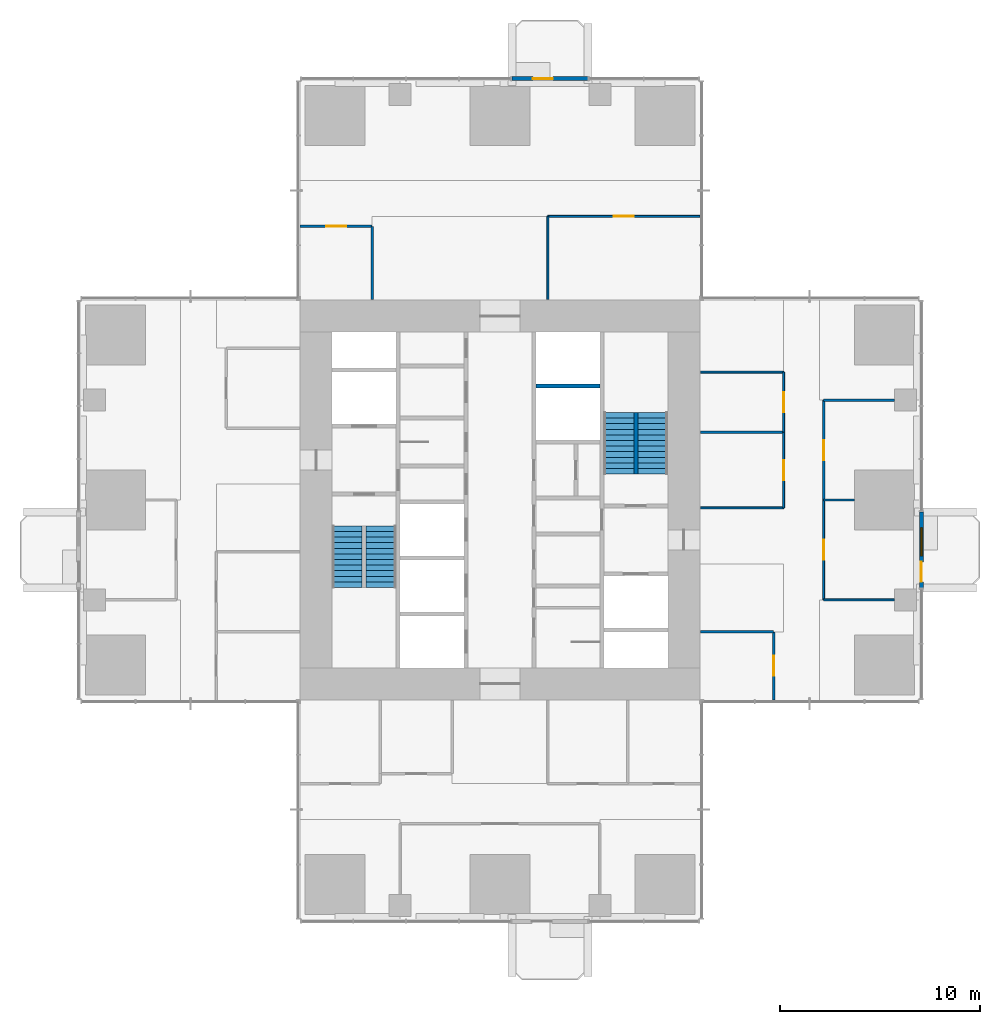
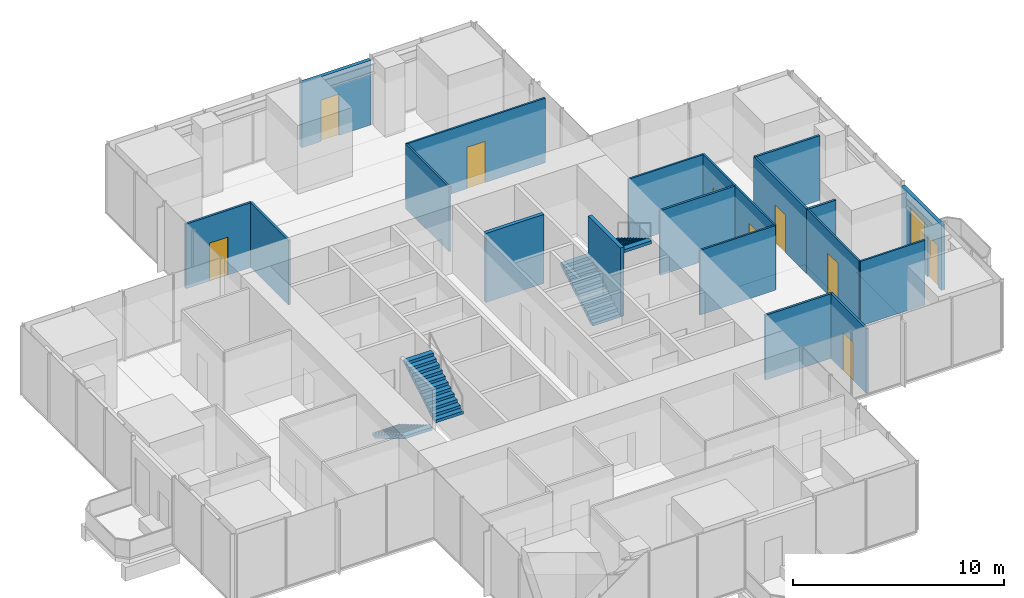
# One storey, part 10 of 13: 20 walls, 9 doors, 4 stair flights, 1 window, 10 openings, 2 elements without a shape of their own.
"""IFC4 building model written with IfcOpenShell, lengths in metres."""

from ifc_helpers import new_model, si_unit, direction, frame, frame_2d, origin, place, context, subcontext, project, spatial, polyline, rectangle, outline, extrude, material, layer, layer_set, type_object, element, fill, aggregate, save


model = new_model("IFC4")

# Units and contexts
model_context = context("Model", 3, precision=1e-05, world=origin(), true_north=direction((0.0, 1.0)))
body_context = subcontext(model_context, "Body", "Model", "MODEL_VIEW")
ifc_project = project(units=[si_unit("LENGTHUNIT", "METRE"), si_unit("AREAUNIT", "SQUARE_METRE"), si_unit("VOLUMEUNIT", "CUBIC_METRE"), si_unit("PLANEANGLEUNIT", "RADIAN"), si_unit("MASSUNIT", "GRAM", prefix="KILO")], contexts=[model_context])

# Site, building, storey
site_placement = place(None, origin())
site = spatial("IfcSite", under=ifc_project, at=site_placement, CompositionType="ELEMENT")
building_placement = place(site_placement, origin())
building = spatial("IfcBuilding", under=site, at=building_placement, Name="Svetlomir Tower", CompositionType="ELEMENT")
storey_placement = place(building_placement, frame((0.0, 0.0, 144.5)))
storey = spatial("IfcBuildingStorey", under=building, at=storey_placement, Name="L34", CompositionType="ELEMENT", Elevation=144.5)

# Wall, openings, door, window
ifc_material_1 = material(Name="Bronze anodised aluminium glazed screen", Category="aluminium")
ifc_layer_1 = layer(ifc_material_1, 0.199951171875)
ifc_layer_set_1 = layer_set([ifc_layer_1], Name="Bronze anodised aluminium glazed screen")
wall_type_1 = type_object("IfcWallType", Name="BALCONY SCREEN WALL 200", PredefinedType="USERDEFINED", material=ifc_layer_set_1)
wall_1_placement = place(storey_placement, frame((42.10009765625, 16.60009765625, 0.0), z_axis=(0.0, 0.0, 1.0), x_axis=(0.0, 1.0, 0.0)))
wall_1 = element("IfcWall", 1, at=wall_1_placement, inside=storey, type_object=wall_type_1, Name="Balcony screen E", ObjectType="GLAZED SCREEN", PredefinedType="USERDEFINED", context=body_context, shape_type="SweptSolid", body=[
    extrude(rectangle(XDim=3.7998046875, YDim=0.199951171875, at=frame_2d((1.89990234375, 0.0))), origin(), (0.0, 0.0, 1.0), 3.75),
])
opening_1_placement = place(wall_1_placement, frame((0.300048828125, 0.0, 0.0)))
opening_1 = element("IfcOpeningElement", 2, at=opening_1_placement, cuts=wall_1, Name="Opening BD", PredefinedType="OPENING", context=body_context, shape_type="SweptSolid", body=[
    extrude(rectangle(XDim=1.0, YDim=2.39990234375, at=frame_2d((0.5, 1.199951171875))), frame((0.0, 0.10986328125, 0.0), z_axis=(0.0, -1.0, 0.0), x_axis=(1.0, 0.0, 0.0)), (0.0, 0.0, 1.0), 0.219970703125),
])
opening_2_placement = place(wall_1_placement, frame((1.60009765625, 0.0, 0.300048828125)))
opening_2 = element("IfcOpeningElement", 3, at=opening_2_placement, cuts=wall_1, Name="Opening WS2", PredefinedType="OPENING", context=body_context, shape_type="SweptSolid", body=[
    extrude(rectangle(XDim=1.39990234375, YDim=2.699951171875, at=frame_2d((0.699951171875, 1.35009765625))), frame((0.0, 0.10986328125, 0.0), z_axis=(0.0, -1.0, 0.0), x_axis=(1.0, 0.0, 0.0)), (0.0, 0.0, 1.0), 0.219970703125),
])
ifc_material_2 = material(Name="Bronze anodised aluminium glazed door", Category="aluminium")
door_type_1 = type_object("IfcDoorType", Name="BALCONY DOOR BD 1000x2400", OperationType="SINGLE_SWING_LEFT", PredefinedType="DOOR", material=ifc_material_2)
door_1_placement = place(opening_1_placement, origin())
door_1 = element("IfcDoor", 4, at=door_1_placement, inside=storey, type_object=door_type_1, Name="Balcony screen E door", OperationType="SINGLE_SWING_LEFT", OverallHeight=2.39990234375, OverallWidth=1.0, PredefinedType="DOOR", context=body_context, shape_type="SweptSolid", body=[
    extrude(rectangle(XDim=1.0, YDim=2.39990234375, at=frame_2d((0.5, 1.199951171875))), frame((0.0, 0.02490234375, 0.0), z_axis=(0.0, -1.0, 0.0), x_axis=(1.0, 0.0, 0.0)), (0.0, 0.0, 1.0), 0.050048828125),
])
fill(opening_1, door_1)
ifc_material_3 = material(Name="Bronze anodised aluminium window", Category="aluminium")
window_type = type_object("IfcWindowType", Name="SCREEN WINDOW WS2 1400x2700", PartitioningType="SINGLE_PANEL", PredefinedType="WINDOW", material=ifc_material_3)
window_placement = place(opening_2_placement, origin())
window = element("IfcWindow", 5, at=window_placement, inside=storey, type_object=window_type, Name="Balcony screen E window 1", OverallHeight=2.699951171875, OverallWidth=1.39990234375, PartitioningType="SINGLE_PANEL", PredefinedType="WINDOW", context=body_context, shape_type="SweptSolid", body=[
    extrude(rectangle(XDim=1.39990234375, YDim=2.699951171875, at=frame_2d((0.699951171875, 1.35009765625))), frame((0.0, 0.030029296875, 0.0), z_axis=(0.0, -1.0, 0.0), x_axis=(1.0, 0.0, 0.0)), (0.0, 0.0, 1.0), 0.06005859375),
])
fill(opening_2, window)

# Wall, opening, door
wall_2_placement = place(storey_placement, frame((25.39990234375, 42.10009765625, 0.0), z_axis=(0.0, 0.0, 1.0), x_axis=(-1.0, 0.0, 0.0)))
wall_2 = element("IfcWall", 6, at=wall_2_placement, inside=storey, type_object=wall_type_1, Name="Balcony screen N", ObjectType="GLAZED SCREEN", PredefinedType="USERDEFINED", context=body_context, shape_type="SweptSolid", body=[
    extrude(rectangle(XDim=3.7998046875, YDim=0.199951171875, at=frame_2d((1.89990234375, 0.0))), origin(), (0.0, 0.0, 1.0), 3.75),
])
opening_3_placement = place(wall_2_placement, frame((1.75, 0.0, 0.0)))
opening_3 = element("IfcOpeningElement", 7, at=opening_3_placement, cuts=wall_2, Name="Opening BD", PredefinedType="OPENING", context=body_context, shape_type="SweptSolid", body=[
    extrude(rectangle(XDim=1.0, YDim=2.39990234375, at=frame_2d((0.5, 1.199951171875))), frame((0.0, 0.10986328125, 0.0), z_axis=(0.0, -1.0, 0.0), x_axis=(1.0, 0.0, 0.0)), (0.0, 0.0, 1.0), 0.219970703125),
])
door_2_placement = place(opening_3_placement, origin())
door_2 = element("IfcDoor", 8, at=door_2_placement, inside=storey, type_object=door_type_1, Name="Balcony screen N door", OperationType="SINGLE_SWING_LEFT", OverallHeight=2.39990234375, OverallWidth=1.0, PredefinedType="DOOR", context=body_context, shape_type="SweptSolid", body=[
    extrude(rectangle(XDim=1.0, YDim=2.39990234375, at=frame_2d((0.5, 1.199951171875))), frame((0.0, 0.02490234375, 0.0), z_axis=(0.0, -1.0, 0.0), x_axis=(1.0, 0.0, 0.0)), (0.0, 0.0, 1.0), 0.050048828125),
])
fill(opening_3, door_2)

# Walls
ifc_material_4 = material(Name="Concrete C60/75", Category="concrete")
ifc_layer_2 = layer(ifc_material_4, 0.199951171875)
ifc_layer_set_2 = layer_set([ifc_layer_2], Name="Concrete C60/75")
wall_type_2 = type_object("IfcWallType", Name="CORE INNER WALL 200", PredefinedType="SHEAR", material=ifc_layer_set_2)
wall_3_placement = place(storey_placement, frame((22.800048828125, 26.699951171875, -0.050048828125), z_axis=(0.0, 0.0, 1.0), x_axis=(1.0, 0.0, 0.0)))
element("IfcWall", 9, at=wall_3_placement, inside=storey, type_object=wall_type_2, Name="Core inner wall 22.8-26/26.7 L34", PredefinedType="SHEAR", context=body_context, shape_type="SweptSolid", body=[
    extrude(rectangle(XDim=3.199951171875, YDim=0.199951171875, at=frame_2d((1.60009765625, 0.0))), origin(), (0.0, 0.0, 1.0), 4.0),
])
ifc_material_5 = material(Name="Framed laminated glass partition", Category="glass")
ifc_layer_3 = layer(ifc_material_5, 0.10009765625)
ifc_layer_set_3 = layer_set([ifc_layer_3], Name="Framed laminated glass partition")
wall_type_3 = type_object("IfcWallType", Name="GLAZED PARTITION 100", PredefinedType="PARTITIONING", material=ifc_layer_set_3)
wall_4_placement = place(storey_placement, frame((23.39990234375, 31.050048828125, 0.0), z_axis=(0.0, 0.0, 1.0), x_axis=(0.0, 1.0, 0.0)))
element("IfcWall", 10, at=wall_4_placement, inside=storey, type_object=wall_type_3, Name="Glazed partition L34", PredefinedType="PARTITIONING", context=body_context, shape_type="SweptSolid", body=[
    extrude(rectangle(XDim=4.14990234375, YDim=0.10009765625, at=frame_2d((2.074951171875, 0.0))), origin(), (0.0, 0.0, 1.0), 3.75),
])

# Wall, opening, door
wall_5_placement = place(storey_placement, frame((23.39990234375, 35.199951171875, 0.0), z_axis=(0.0, 0.0, 1.0), x_axis=(1.0, 0.0, 0.0)))
wall_5 = element("IfcWall", 11, at=wall_5_placement, inside=storey, type_object=wall_type_3, Name="Glazed partition L34", PredefinedType="PARTITIONING", context=body_context, shape_type="SweptSolid", body=[
    extrude(rectangle(XDim=7.60009765625, YDim=0.10009765625, at=frame_2d((3.800048828125, 0.0))), origin(), (0.0, 0.0, 1.0), 3.75),
])
opening_4_placement = place(wall_5_placement, frame((3.300048828125, 0.0, 0.0)))
opening_4 = element("IfcOpeningElement", 12, at=opening_4_placement, cuts=wall_5, Name="Opening DG", PredefinedType="OPENING", context=body_context, shape_type="SweptSolid", body=[
    extrude(rectangle(XDim=1.0, YDim=2.39990234375, at=frame_2d((0.5, 1.199951171875))), frame((0.0, 0.06005859375, 0.0), z_axis=(0.0, -1.0, 0.0), x_axis=(1.0, 0.0, 0.0)), (0.0, 0.0, 1.0), 0.1201171875),
])
ifc_material_6 = material(Name="Framed laminated glass door", Category="glass")
door_type_2 = type_object("IfcDoorType", Name="GLAZED DOOR DG 1000x2400", OperationType="SINGLE_SWING_LEFT", PredefinedType="DOOR", material=ifc_material_6)
door_3_placement = place(opening_4_placement, origin())
door_3 = element("IfcDoor", 13, at=door_3_placement, inside=storey, type_object=door_type_2, Name="Risk committee room, 12 seats door L34", OperationType="SINGLE_SWING_RIGHT", OverallHeight=2.39990234375, OverallWidth=1.0, PredefinedType="DOOR", context=body_context, shape_type="SweptSolid", body=[
    extrude(rectangle(XDim=1.0, YDim=2.39990234375, at=frame_2d((0.5, 1.199951171875))), frame((0.0, 0.02490234375, 0.0), z_axis=(0.0, -1.0, 0.0), x_axis=(1.0, 0.0, 0.0)), (0.0, 0.0, 1.0), 0.050048828125),
])
fill(opening_4, door_3)

# Walls
for number, where, z_axis, x_axis, name in (
    (14, (31.050048828125, 20.60009765625, 0.0), (0.0, 0.0, 1.0), (1.0, 0.0, 0.0), "Glazed partition L34"),
    (15, (31.050048828125, 27.39990234375, 0.0), (0.0, 0.0, 1.0), (1.0, 0.0, 0.0), "Glazed partition L34"),
):
    element("IfcWall", number, at=place(storey_placement, frame(where, z_axis=z_axis, x_axis=x_axis)), inside=storey, type_object=wall_type_3, Name=name, PredefinedType="PARTITIONING", context=body_context, shape_type="SweptSolid", body=[
        extrude(rectangle(XDim=4.14990234375, YDim=0.10009765625, at=frame_2d((2.074951171875, 0.0))), origin(), (0.0, 0.0, 1.0), 3.75),
    ])

# Wall, opening, door
wall_6_placement = place(storey_placement, frame((35.199951171875, 20.60009765625, 0.0), z_axis=(0.0, 0.0, 1.0), x_axis=(0.0, 1.0, 0.0)))
wall_6 = element("IfcWall", 16, at=wall_6_placement, inside=storey, type_object=wall_type_3, Name="Glazed partition L34", PredefinedType="PARTITIONING", context=body_context, shape_type="SweptSolid", body=[
    extrude(rectangle(XDim=3.7998046875, YDim=0.10009765625, at=frame_2d((1.89990234375, 0.0))), origin(), (0.0, 0.0, 1.0), 3.75),
])
opening_5_placement = place(wall_6_placement, frame((1.39990234375, 0.0, 0.0)))
opening_5 = element("IfcOpeningElement", 17, at=opening_5_placement, cuts=wall_6, Name="Opening DG", PredefinedType="OPENING", context=body_context, shape_type="SweptSolid", body=[
    extrude(rectangle(XDim=1.0, YDim=2.39990234375, at=frame_2d((0.5, 1.199951171875))), frame((0.0, 0.06005859375, 0.0), z_axis=(0.0, -1.0, 0.0), x_axis=(1.0, 0.0, 0.0)), (0.0, 0.0, 1.0), 0.1201171875),
])
door_4_placement = place(opening_5_placement, origin())
door_4 = element("IfcDoor", 18, at=door_4_placement, inside=storey, type_object=door_type_2, Name="Meeting room, 6 seats door L34", OperationType="SINGLE_SWING_LEFT", OverallHeight=2.39990234375, OverallWidth=1.0, PredefinedType="DOOR", context=body_context, shape_type="SweptSolid", body=[
    extrude(rectangle(XDim=1.0, YDim=2.39990234375, at=frame_2d((0.5, 1.199951171875))), frame((0.0, 0.02490234375, 0.0), z_axis=(0.0, -1.0, 0.0), x_axis=(1.0, 0.0, 0.0)), (0.0, 0.0, 1.0), 0.050048828125),
])
fill(opening_5, door_4)

wall_7_placement = place(storey_placement, frame((35.199951171875, 24.39990234375, 0.0), z_axis=(0.0, 0.0, 1.0), x_axis=(0.0, 1.0, 0.0)))
wall_7 = element("IfcWall", 19, at=wall_7_placement, inside=storey, type_object=wall_type_3, Name="Glazed partition L34", PredefinedType="PARTITIONING", context=body_context, shape_type="SweptSolid", body=[
    extrude(rectangle(XDim=3.0, YDim=0.10009765625, at=frame_2d((1.5, 0.0))), origin(), (0.0, 0.0, 1.0), 3.75),
])
opening_6_placement = place(wall_7_placement, frame((1.0, 0.0, 0.0)))
opening_6 = element("IfcOpeningElement", 20, at=opening_6_placement, cuts=wall_7, Name="Opening DG", PredefinedType="OPENING", context=body_context, shape_type="SweptSolid", body=[
    extrude(rectangle(XDim=1.0, YDim=2.39990234375, at=frame_2d((0.5, 1.199951171875))), frame((0.0, 0.06005859375, 0.0), z_axis=(0.0, -1.0, 0.0), x_axis=(1.0, 0.0, 0.0)), (0.0, 0.0, 1.0), 0.1201171875),
])
door_5_placement = place(opening_6_placement, origin())
door_5 = element("IfcDoor", 21, at=door_5_placement, inside=storey, type_object=door_type_2, Name="Focus room 2 door L34", OperationType="SINGLE_SWING_RIGHT", OverallHeight=2.39990234375, OverallWidth=1.0, PredefinedType="DOOR", context=body_context, shape_type="SweptSolid", body=[
    extrude(rectangle(XDim=1.0, YDim=2.39990234375, at=frame_2d((0.5, 1.199951171875))), frame((0.0, 0.02490234375, 0.0), z_axis=(0.0, -1.0, 0.0), x_axis=(1.0, 0.0, 0.0)), (0.0, 0.0, 1.0), 0.050048828125),
])
fill(opening_6, door_5)

wall_8_placement = place(storey_placement, frame((37.199951171875, 16.0, 0.0), z_axis=(0.0, 0.0, 1.0), x_axis=(0.0, 1.0, 0.0)))
wall_8 = element("IfcWall", 22, at=wall_8_placement, inside=storey, type_object=wall_type_3, Name="Glazed partition L34", PredefinedType="PARTITIONING", context=body_context, shape_type="SweptSolid", body=[
    extrude(rectangle(XDim=5.0, YDim=0.10009765625, at=frame_2d((2.5, 0.0))), origin(), (0.0, 0.0, 1.0), 3.75),
])
opening_7_placement = place(wall_8_placement, frame((2.0, 0.0, 0.0)))
opening_7 = element("IfcOpeningElement", 23, at=opening_7_placement, cuts=wall_8, Name="Opening DG", PredefinedType="OPENING", context=body_context, shape_type="SweptSolid", body=[
    extrude(rectangle(XDim=1.0, YDim=2.39990234375, at=frame_2d((0.5, 1.199951171875))), frame((0.0, 0.06005859375, 0.0), z_axis=(0.0, -1.0, 0.0), x_axis=(1.0, 0.0, 0.0)), (0.0, 0.0, 1.0), 0.1201171875),
])
door_6_placement = place(opening_7_placement, origin())
door_6 = element("IfcDoor", 24, at=door_6_placement, inside=storey, type_object=door_type_2, Name="Break-out and kitchenette door L34", OperationType="SINGLE_SWING_RIGHT", OverallHeight=2.39990234375, OverallWidth=1.0, PredefinedType="DOOR", context=body_context, shape_type="SweptSolid", body=[
    extrude(rectangle(XDim=1.0, YDim=2.39990234375, at=frame_2d((0.5, 1.199951171875))), frame((0.0, 0.02490234375, 0.0), z_axis=(0.0, -1.0, 0.0), x_axis=(1.0, 0.0, 0.0)), (0.0, 0.0, 1.0), 0.050048828125),
])
fill(opening_7, door_6)

# Wall
wall_9_placement = place(storey_placement, frame((37.199951171875, 16.0, 0.0), z_axis=(0.0, 0.0, 1.0), x_axis=(1.0, 0.0, 0.0)))
element("IfcWall", 25, at=wall_9_placement, inside=storey, type_object=wall_type_3, Name="Glazed partition L34", PredefinedType="PARTITIONING", context=body_context, shape_type="SweptSolid", body=[
    extrude(rectangle(XDim=3.5400390625, YDim=0.10009765625, at=frame_2d((1.77001953125, 0.0))), origin(), (0.0, 0.0, 1.0), 3.75),
])

# Wall, opening, door
ifc_material_7 = material(Name="Gypsum board on steel studs", Category="steel")
ifc_layer_4 = layer(ifc_material_7, 0.1201171875)
ifc_layer_set_4 = layer_set([ifc_layer_4], Name="Gypsum board on steel studs")
wall_type_4 = type_object("IfcWallType", Name="PARTITION 120", PredefinedType="PARTITIONING", material=ifc_layer_set_4)
wall_10_placement = place(storey_placement, frame((11.0, 34.699951171875, 0.0), z_axis=(0.0, 0.0, 1.0), x_axis=(1.0, 0.0, 0.0)))
wall_10 = element("IfcWall", 26, at=wall_10_placement, inside=storey, type_object=wall_type_4, Name="Partition L34", PredefinedType="PARTITIONING", context=body_context, shape_type="SweptSolid", body=[
    extrude(rectangle(XDim=3.60009765625, YDim=0.1201171875, at=frame_2d((1.800048828125, 0.0))), origin(), (0.0, 0.0, 1.0), 3.75),
])
opening_8_placement = place(wall_10_placement, frame((1.300048828125, 0.0, 0.0)))
opening_8 = element("IfcOpeningElement", 27, at=opening_8_placement, cuts=wall_10, Name="Opening DR", PredefinedType="OPENING", context=body_context, shape_type="SweptSolid", body=[
    extrude(rectangle(XDim=1.0, YDim=2.199951171875, at=frame_2d((0.5, 1.10009765625))), frame((0.0, 0.070068359375, 0.0), z_axis=(0.0, -1.0, 0.0), x_axis=(1.0, 0.0, 0.0)), (0.0, 0.0, 1.0), 0.14013671875),
])
ifc_material_8 = material(Name="Timber door, glazed side light", Category="wood")
door_type_3 = type_object("IfcDoorType", Name="DOOR DR 1000x2200", OperationType="SINGLE_SWING_LEFT", PredefinedType="DOOR", material=ifc_material_8)
door_7_placement = place(opening_8_placement, origin())
door_7 = element("IfcDoor", 28, at=door_7_placement, inside=storey, type_object=door_type_3, Name="Store door L34", OperationType="SINGLE_SWING_RIGHT", OverallHeight=2.199951171875, OverallWidth=1.0, PredefinedType="DOOR", context=body_context, shape_type="SweptSolid", body=[
    extrude(rectangle(XDim=1.0, YDim=2.199951171875, at=frame_2d((0.5, 1.10009765625))), frame((0.0, 0.02490234375, 0.0), z_axis=(0.0, -1.0, 0.0), x_axis=(1.0, 0.0, 0.0)), (0.0, 0.0, 1.0), 0.050048828125),
])
fill(opening_8, door_7)

# Walls
for number, where, z_axis, x_axis, name in (
    (29, (14.60009765625, 31.050048828125, 0.0), (0.0, 0.0, 1.0), (0.0, 1.0, 0.0), "Partition L34"),
    (30, (31.050048828125, 14.39990234375, 0.0), (0.0, 0.0, 1.0), (1.0, 0.0, 0.0), "Partition L34"),
):
    element("IfcWall", number, at=place(storey_placement, frame(where, z_axis=z_axis, x_axis=x_axis)), inside=storey, type_object=wall_type_4, Name=name, PredefinedType="PARTITIONING", context=body_context, shape_type="SweptSolid", body=[
        extrude(rectangle(XDim=3.64990234375, YDim=0.1201171875, at=frame_2d((1.824951171875, 0.0))), origin(), (0.0, 0.0, 1.0), 3.75),
    ])
wall_11_placement = place(storey_placement, frame((31.050048828125, 24.39990234375, 0.0), z_axis=(0.0, 0.0, 1.0), x_axis=(1.0, 0.0, 0.0)))
element("IfcWall", 31, at=wall_11_placement, inside=storey, type_object=wall_type_4, Name="Partition L34", PredefinedType="PARTITIONING", context=body_context, shape_type="SweptSolid", body=[
    extrude(rectangle(XDim=4.14990234375, YDim=0.1201171875, at=frame_2d((2.074951171875, 0.0))), origin(), (0.0, 0.0, 1.0), 3.75),
])

# Wall, opening, door
wall_12_placement = place(storey_placement, frame((34.699951171875, 11.0, 0.0), z_axis=(0.0, 0.0, 1.0), x_axis=(0.0, 1.0, 0.0)))
wall_12 = element("IfcWall", 32, at=wall_12_placement, inside=storey, type_object=wall_type_4, Name="Partition L34", PredefinedType="PARTITIONING", context=body_context, shape_type="SweptSolid", body=[
    extrude(rectangle(XDim=3.39990234375, YDim=0.1201171875, at=frame_2d((1.699951171875, 0.0))), origin(), (0.0, 0.0, 1.0), 3.75),
])
opening_9_placement = place(wall_12_placement, frame((1.199951171875, 0.0, 0.0)))
opening_9 = element("IfcOpeningElement", 33, at=opening_9_placement, cuts=wall_12, Name="Opening DR", PredefinedType="OPENING", context=body_context, shape_type="SweptSolid", body=[
    extrude(rectangle(XDim=1.0, YDim=2.199951171875, at=frame_2d((0.5, 1.10009765625))), frame((0.0, 0.070068359375, 0.0), z_axis=(0.0, -1.0, 0.0), x_axis=(1.0, 0.0, 0.0)), (0.0, 0.0, 1.0), 0.14013671875),
])
door_8_placement = place(opening_9_placement, origin())
door_8 = element("IfcDoor", 34, at=door_8_placement, inside=storey, type_object=door_type_3, Name="Print and copy room door L34", OperationType="SINGLE_SWING_RIGHT", OverallHeight=2.199951171875, OverallWidth=1.0, PredefinedType="DOOR", context=body_context, shape_type="SweptSolid", body=[
    extrude(rectangle(XDim=1.0, YDim=2.199951171875, at=frame_2d((0.5, 1.10009765625))), frame((0.0, 0.02490234375, 0.0), z_axis=(0.0, -1.0, 0.0), x_axis=(1.0, 0.0, 0.0)), (0.0, 0.0, 1.0), 0.050048828125),
])
fill(opening_9, door_8)

wall_13_placement = place(storey_placement, frame((37.199951171875, 21.0, 0.0), z_axis=(0.0, 0.0, 1.0), x_axis=(0.0, 1.0, 0.0)))
wall_13 = element("IfcWall", 35, at=wall_13_placement, inside=storey, type_object=wall_type_4, Name="Partition L34", PredefinedType="PARTITIONING", context=body_context, shape_type="SweptSolid", body=[
    extrude(rectangle(XDim=5.0, YDim=0.1201171875, at=frame_2d((2.5, 0.0))), origin(), (0.0, 0.0, 1.0), 3.75),
])
opening_10_placement = place(wall_13_placement, frame((2.0, 0.0, 0.0)))
opening_10 = element("IfcOpeningElement", 36, at=opening_10_placement, cuts=wall_13, Name="Opening DR", PredefinedType="OPENING", context=body_context, shape_type="SweptSolid", body=[
    extrude(rectangle(XDim=1.0, YDim=2.199951171875, at=frame_2d((0.5, 1.10009765625))), frame((0.0, 0.070068359375, 0.0), z_axis=(0.0, -1.0, 0.0), x_axis=(1.0, 0.0, 0.0)), (0.0, 0.0, 1.0), 0.14013671875),
])
door_9_placement = place(opening_10_placement, origin())
door_9 = element("IfcDoor", 37, at=door_9_placement, inside=storey, type_object=door_type_3, Name="Risk analysts office door L34", OperationType="SINGLE_SWING_RIGHT", OverallHeight=2.199951171875, OverallWidth=1.0, PredefinedType="DOOR", context=body_context, shape_type="SweptSolid", body=[
    extrude(rectangle(XDim=1.0, YDim=2.199951171875, at=frame_2d((0.5, 1.10009765625))), frame((0.0, 0.02490234375, 0.0), z_axis=(0.0, -1.0, 0.0), x_axis=(1.0, 0.0, 0.0)), (0.0, 0.0, 1.0), 0.050048828125),
])
fill(opening_10, door_9)

# Walls
wall_14_placement = place(storey_placement, frame((37.199951171875, 21.0, 0.0), z_axis=(0.0, 0.0, 1.0), x_axis=(1.0, 0.0, 0.0)))
element("IfcWall", 38, at=wall_14_placement, inside=storey, type_object=wall_type_4, Name="Partition L34", PredefinedType="PARTITIONING", context=body_context, shape_type="SweptSolid", body=[
    extrude(rectangle(XDim=1.5400390625, YDim=0.1201171875, at=frame_2d((0.77001953125, 0.0))), origin(), (0.0, 0.0, 1.0), 3.75),
])
wall_15_placement = place(storey_placement, frame((37.199951171875, 26.0, 0.0), z_axis=(0.0, 0.0, 1.0), x_axis=(1.0, 0.0, 0.0)))
element("IfcWall", 39, at=wall_15_placement, inside=storey, type_object=wall_type_4, Name="Partition L34", PredefinedType="PARTITIONING", context=body_context, shape_type="SweptSolid", body=[
    extrude(rectangle(XDim=3.5400390625, YDim=0.1201171875, at=frame_2d((1.77001953125, 0.0))), origin(), (0.0, 0.0, 1.0), 3.75),
])
ifc_material_9 = material(Name="Concrete C60/75", Category="concrete")
ifc_layer_5 = layer(ifc_material_9, 0.199951171875)
ifc_layer_set_5 = layer_set([ifc_layer_5], Name="Concrete C60/75")
wall_type_5 = type_object("IfcWallType", Name="STAIR SPINE WALL 200", PredefinedType="PARTITIONING", material=ifc_layer_set_5)
wall_16_placement = place(storey_placement, frame((27.800048828125, 22.300048828125, 0.0), z_axis=(0.0, 0.0, 1.0), x_axis=(0.0, 1.0, 0.0)))
element("IfcWall", 40, at=wall_16_placement, inside=storey, type_object=wall_type_5, Name="Stair S2 spine wall L34", PredefinedType="PARTITIONING", context=body_context, shape_type="SweptSolid", body=[
    extrude(rectangle(XDim=3.079833984375, YDim=0.199951171875, at=frame_2d((1.5400390625, 0.0))), origin(), (0.0, 0.0, 1.0), 4.0),
])

# Stair, stair flights
ifc_material_10 = material(Name="Concrete C60/75", Category="concrete")
stair_type = type_object("IfcStairType", Name="EXIT STAIR 3200 RISE 4000", PredefinedType="HALF_TURN_STAIR", material=ifc_material_10)
stair_1_placement = place(storey_placement, origin())
stair_1 = element("IfcStair", 41, at=stair_1_placement, inside=storey, type_object=stair_type, Name="Stair S1 L34 to L35", PredefinedType="HALF_TURN_STAIR")
ifc_material_11 = material(Name="Concrete C60/75", Category="concrete")
stair_flight_type = type_object("IfcStairFlightType", Name="STAIR FLIGHT 1500 OF 12 RISERS", PredefinedType="STRAIGHT", material=ifc_material_11)
stair_flight_1_placement = place(storey_placement, frame((13.35009765625, 19.699951171875, 0.0), z_axis=(0.0, 0.0, 1.0), x_axis=(0.0, -1.0, 0.0)))
stair_flight_1 = element("IfcStairFlight", 42, at=stair_flight_1_placement, type_object=stair_flight_type, Name="S1 flight 1", NumberOfRisers=12, NumberOfTreads=11, PredefinedType="STRAIGHT", RiserHeight=0.166666667, TreadLength=0.28, context=body_context, shape_type="SweptSolid", body=[
    extrude(outline(polyline([(0.0, 0.0), (0.0, 0.166748046875), (0.280029296875, 0.166748046875), (0.280029296875, 0.333251953125), (0.56005859375, 0.333251953125), (0.56005859375, 0.5), (0.840087890625, 0.5), (0.840087890625, 0.666748046875), (1.1201171875, 0.666748046875), (1.1201171875, 0.833251953125), (1.39990234375, 0.833251953125), (1.39990234375, 1.0), (1.679931640625, 1.0), (1.679931640625, 1.166748046875), (1.9599609375, 1.166748046875), (1.9599609375, 1.333251953125), (2.239990234375, 1.333251953125), (2.239990234375, 1.5), (2.52001953125, 1.5), (2.52001953125, 1.666748046875), (2.800048828125, 1.666748046875), (2.800048828125, 1.833251953125), (3.080078125, 1.833251953125), (3.080078125, 2.0), (3.080078125, 1.658935546875), (0.29296875, 0.0), (0.0, 0.0)])), frame((0.0, 0.75, 0.0), z_axis=(0.0, -1.0, 0.0), x_axis=(1.0, 0.0, 0.0)), (0.0, 0.0, 1.0), 1.5),
])
stair_flight_2_placement = place(storey_placement, frame((15.050048828125, 16.6201171875, 2.0), z_axis=(0.0, 0.0, 1.0), x_axis=(0.0, 1.0, 0.0)))
stair_flight_2 = element("IfcStairFlight", 43, at=stair_flight_2_placement, type_object=stair_flight_type, Name="S1 flight 2", NumberOfRisers=12, NumberOfTreads=11, PredefinedType="STRAIGHT", RiserHeight=0.166666667, TreadLength=0.28, context=body_context, shape_type="SweptSolid", body=[
    extrude(outline(polyline([(0.0, 0.0), (0.0, 0.166748046875), (0.280029296875, 0.166748046875), (0.280029296875, 0.333251953125), (0.56005859375, 0.333251953125), (0.56005859375, 0.5), (0.840087890625, 0.5), (0.840087890625, 0.666748046875), (1.1201171875, 0.666748046875), (1.1201171875, 0.833251953125), (1.39990234375, 0.833251953125), (1.39990234375, 1.0), (1.679931640625, 1.0), (1.679931640625, 1.166748046875), (1.9599609375, 1.166748046875), (1.9599609375, 1.333251953125), (2.239990234375, 1.333251953125), (2.239990234375, 1.5), (2.52001953125, 1.5), (2.52001953125, 1.666748046875), (2.800048828125, 1.666748046875), (2.800048828125, 1.833251953125), (3.080078125, 1.833251953125), (3.080078125, 2.0), (3.080078125, 1.658935546875), (0.29296875, 0.0), (0.0, 0.0)])), frame((0.0, 0.75, 0.0), z_axis=(0.0, -1.0, 0.0), x_axis=(1.0, 0.0, 0.0)), (0.0, 0.0, 1.0), 1.5),
])
aggregate(stair_1, [stair_flight_1, stair_flight_2])

stair_2_placement = place(storey_placement, origin())
stair_2 = element("IfcStair", 44, at=stair_2_placement, inside=storey, type_object=stair_type, Name="Stair S2 L34 to L35", PredefinedType="HALF_TURN_STAIR")
stair_flight_3_placement = place(storey_placement, frame((26.949951171875, 22.300048828125, 0.0), z_axis=(0.0, 0.0, 1.0), x_axis=(0.0, 1.0, 0.0)))
stair_flight_3 = element("IfcStairFlight", 45, at=stair_flight_3_placement, type_object=stair_flight_type, Name="S2 flight 1", NumberOfRisers=12, NumberOfTreads=11, PredefinedType="STRAIGHT", RiserHeight=0.166666667, TreadLength=0.28, context=body_context, shape_type="SweptSolid", body=[
    extrude(outline(polyline([(0.0, 0.0), (0.0, 0.166748046875), (0.280029296875, 0.166748046875), (0.280029296875, 0.333251953125), (0.56005859375, 0.333251953125), (0.56005859375, 0.5), (0.840087890625, 0.5), (0.840087890625, 0.666748046875), (1.1201171875, 0.666748046875), (1.1201171875, 0.833251953125), (1.39990234375, 0.833251953125), (1.39990234375, 1.0), (1.679931640625, 1.0), (1.679931640625, 1.166748046875), (1.9599609375, 1.166748046875), (1.9599609375, 1.333251953125), (2.239990234375, 1.333251953125), (2.239990234375, 1.5), (2.52001953125, 1.5), (2.52001953125, 1.666748046875), (2.800048828125, 1.666748046875), (2.800048828125, 1.833251953125), (3.080078125, 1.833251953125), (3.080078125, 2.0), (3.080078125, 1.658935546875), (0.29296875, 0.0), (0.0, 0.0)])), frame((0.0, 0.75, 0.0), z_axis=(0.0, -1.0, 0.0), x_axis=(1.0, 0.0, 0.0)), (0.0, 0.0, 1.0), 1.5),
])
stair_flight_4_placement = place(storey_placement, frame((28.64990234375, 25.3798828125, 2.0), z_axis=(0.0, 0.0, 1.0), x_axis=(0.0, -1.0, 0.0)))
stair_flight_4 = element("IfcStairFlight", 46, at=stair_flight_4_placement, type_object=stair_flight_type, Name="S2 flight 2", NumberOfRisers=12, NumberOfTreads=11, PredefinedType="STRAIGHT", RiserHeight=0.166666667, TreadLength=0.28, context=body_context, shape_type="SweptSolid", body=[
    extrude(outline(polyline([(0.0, 0.0), (0.0, 0.166748046875), (0.280029296875, 0.166748046875), (0.280029296875, 0.333251953125), (0.56005859375, 0.333251953125), (0.56005859375, 0.5), (0.840087890625, 0.5), (0.840087890625, 0.666748046875), (1.1201171875, 0.666748046875), (1.1201171875, 0.833251953125), (1.39990234375, 0.833251953125), (1.39990234375, 1.0), (1.679931640625, 1.0), (1.679931640625, 1.166748046875), (1.9599609375, 1.166748046875), (1.9599609375, 1.333251953125), (2.239990234375, 1.333251953125), (2.239990234375, 1.5), (2.52001953125, 1.5), (2.52001953125, 1.666748046875), (2.800048828125, 1.666748046875), (2.800048828125, 1.833251953125), (3.080078125, 1.833251953125), (3.080078125, 2.0), (3.080078125, 1.658935546875), (0.29296875, 0.0), (0.0, 0.0)])), frame((0.0, 0.75, 0.0), z_axis=(0.0, -1.0, 0.0), x_axis=(1.0, 0.0, 0.0)), (0.0, 0.0, 1.0), 1.5),
])
aggregate(stair_2, [stair_flight_3, stair_flight_4])

save(model, "model.ifc")
